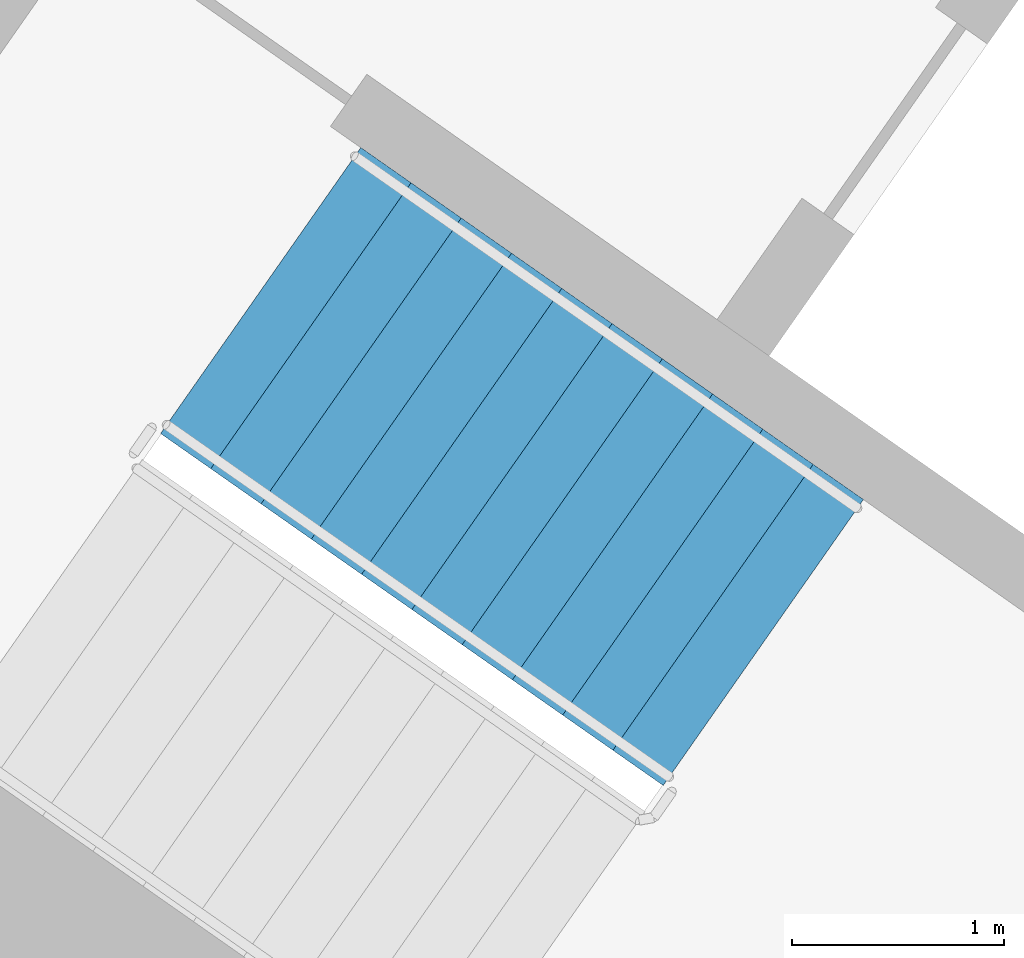
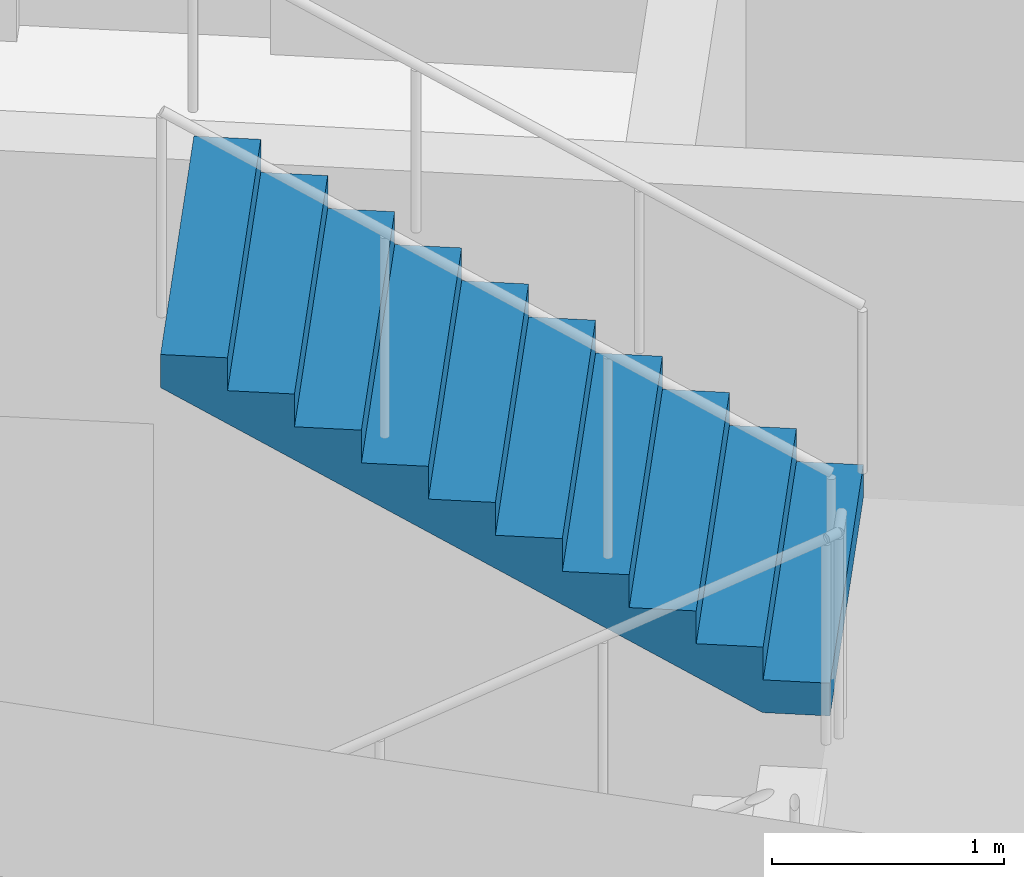
# One storey, part 11 of 29: 1 stair flight, 1 element without a shape of its own.
"""IFC4 building model written with IfcOpenShell, lengths in metres."""

from ifc_helpers import new_model, si_unit, direction, frame, origin, place, context, subcontext, project, spatial, faceted_brep, material, type_object, element, aggregate, save


model = new_model("IFC4")

# Units and contexts
model_context = context("Model", 3, precision=1e-05, world=origin(), true_north=direction((0.0, 1.0)))
body_context = subcontext(model_context, "Body", "Model", "MODEL_VIEW")
ifc_project = project(units=[si_unit("LENGTHUNIT", "METRE"), si_unit("AREAUNIT", "SQUARE_METRE"), si_unit("VOLUMEUNIT", "CUBIC_METRE"), si_unit("PLANEANGLEUNIT", "RADIAN"), si_unit("MASSUNIT", "GRAM", prefix="KILO")], contexts=[model_context])

# Site, building, storey
site_placement = place(None, origin())
site = spatial("IfcSite", under=ifc_project, at=site_placement, CompositionType="ELEMENT")
building_placement = place(site_placement, origin())
building = spatial("IfcBuilding", under=site, at=building_placement, Name="Qamariyya Broadcast Tower", CompositionType="ELEMENT")
storey_placement = place(building_placement, frame((0.0, 0.0, 136.699951171875)))
storey = spatial("IfcBuildingStorey", under=building, at=storey_placement, Name="L31", CompositionType="ELEMENT", Elevation=136.699951171875)

# Stair, stair flight
ifc_material = material(Name="Concrete C50/60", Category="concrete")
stair_type = type_object("IfcStairType", Name="Exit stair 22 risers of 173 mm", PredefinedType="HALF_TURN_STAIR", material=ifc_material)
stair_placement = place(storey_placement, origin())
stair = element("IfcStair", 1, at=stair_placement, inside=storey, type_object=stair_type, Name="L31 Stair W1", PredefinedType="HALF_TURN_STAIR")
stair_flight_type = type_object("IfcStairFlightType", Name="Exit stair flight 11 risers of 173 mm", PredefinedType="STRAIGHT", material=ifc_material)
stair_flight_placement = place(storey_placement, frame((-43.660888671875, -57.17138671875, 1.900146484375), z_axis=(0.0, 0.0, 1.0), x_axis=(-0.819152044289, 0.573576436351, 0.0)))
stair_flight = element("IfcStairFlight", 2, at=stair_flight_placement, type_object=stair_flight_type, Name="ST-W1 flight 2", NumberOfRisers=11, NumberOfTreads=10, PredefinedType="STRAIGHT", RiserHeight=0.172727273, TreadLength=0.29, context=body_context, shape_type="Brep", body=[
    faceted_brep([(0.0, 0.824951171875, 0.0), (0.0, 0.824951171875, 0.172607421875), (0.2900390625, 0.824951171875, 0.172607421875), (0.2900390625, 0.824951171875, 0.345458984375), (0.580078125, 0.824951171875, 0.345458984375), (0.580078125, 0.824951171875, 0.51806640625), (0.8701171875, 0.824951171875, 0.51806640625), (0.8701171875, 0.824951171875, 0.69091796875), (1.159912109375, 0.824951171875, 0.69091796875), (1.159912109375, 0.824951171875, 0.863525390625), (1.449951171875, 0.824951171875, 0.863525390625), (1.449951171875, 0.824951171875, 1.036376953125), (1.739990234375, 0.824951171875, 1.036376953125), (1.739990234375, 0.824951171875, 1.208984375), (2.030029296875, 0.824951171875, 1.208984375), (2.030029296875, 0.824951171875, 1.3818359375), (2.320068359375, 0.824951171875, 1.3818359375), (2.320068359375, 0.824951171875, 1.554443359375), (2.610107421875, 0.824951171875, 1.554443359375), (2.610107421875, 0.824951171875, 1.727294921875), (2.89990234375, 0.824951171875, 1.727294921875), (2.89990234375, 0.824951171875, 1.552734375), (0.29296875, 0.824951171875, 0.0), (0.29296875, -0.824951171875, 0.0), (2.89990234375, -0.824951171875, 1.552734375), (2.89990234375, -0.824951171875, 1.727294921875), (2.610107421875, -0.824951171875, 1.727294921875), (2.610107421875, -0.824951171875, 1.554443359375), (2.320068359375, -0.824951171875, 1.554443359375), (2.320068359375, -0.824951171875, 1.3818359375), (2.030029296875, -0.824951171875, 1.3818359375), (2.030029296875, -0.824951171875, 1.208984375), (1.739990234375, -0.824951171875, 1.208984375), (1.739990234375, -0.824951171875, 1.036376953125), (1.449951171875, -0.824951171875, 1.036376953125), (1.449951171875, -0.824951171875, 0.863525390625), (1.159912109375, -0.824951171875, 0.863525390625), (1.159912109375, -0.824951171875, 0.69091796875), (0.8701171875, -0.824951171875, 0.69091796875), (0.8701171875, -0.824951171875, 0.51806640625), (0.580078125, -0.824951171875, 0.51806640625), (0.580078125, -0.824951171875, 0.345458984375), (0.2900390625, -0.824951171875, 0.345458984375), (0.2900390625, -0.824951171875, 0.172607421875), (0.0, -0.824951171875, 0.172607421875), (0.0, -0.824951171875, 0.0), (0.0, 0.10009765625, 0.0), (0.0, 0.086669921875, 0.0), (0.0, 0.0732421875, 0.0), (0.0, 0.06005859375, 0.0), (0.0, 0.046630859375, 0.0), (0.0, 0.033447265625, 0.0), (0.0, 0.02001953125, 0.0), (0.0, 0.006591796875, 0.0), (0.0, -0.006591796875, 0.0), (0.0, -0.02001953125, 0.0), (0.0, -0.033447265625, 0.0), (0.0, -0.046630859375, 0.0), (0.0, -0.06005859375, 0.0), (0.0, -0.0732421875, 0.0), (0.0, -0.086669921875, 0.0), (0.0, -0.10009765625, 0.0), (0.0, -0.10009765625, 0.172607421875), (0.0, -0.086669921875, 0.172607421875), (0.0, -0.0732421875, 0.172607421875), (0.0, -0.06005859375, 0.172607421875), (0.0, -0.046630859375, 0.172607421875), (0.0, -0.033447265625, 0.172607421875), (0.0, -0.02001953125, 0.172607421875), (0.0, -0.006591796875, 0.172607421875), (0.0, 0.006591796875, 0.172607421875), (0.0, 0.02001953125, 0.172607421875), (0.0, 0.033447265625, 0.172607421875), (0.0, 0.046630859375, 0.172607421875), (0.0, 0.06005859375, 0.172607421875), (0.0, 0.0732421875, 0.172607421875), (0.0, 0.086669921875, 0.172607421875), (0.0, 0.10009765625, 0.172607421875), (0.2900390625, -0.10009765625, 0.172607421875), (0.2900390625, -0.086669921875, 0.172607421875), (0.2900390625, -0.0732421875, 0.172607421875), (0.2900390625, -0.06005859375, 0.172607421875), (0.2900390625, -0.046630859375, 0.172607421875), (0.2900390625, -0.033447265625, 0.172607421875), (0.2900390625, -0.02001953125, 0.172607421875), (0.2900390625, -0.006591796875, 0.172607421875), (0.2900390625, 0.006591796875, 0.172607421875), (0.2900390625, 0.02001953125, 0.172607421875), (0.2900390625, 0.033447265625, 0.172607421875), (0.2900390625, 0.046630859375, 0.172607421875), (0.2900390625, 0.06005859375, 0.172607421875), (0.2900390625, 0.0732421875, 0.172607421875), (0.2900390625, 0.086669921875, 0.172607421875), (0.2900390625, 0.10009765625, 0.172607421875), (0.2900390625, -0.10009765625, 0.345458984375), (0.2900390625, -0.086669921875, 0.345458984375), (0.2900390625, -0.0732421875, 0.345458984375), (0.2900390625, -0.06005859375, 0.345458984375), (0.2900390625, -0.046630859375, 0.345458984375), (0.2900390625, -0.033447265625, 0.345458984375), (0.2900390625, -0.02001953125, 0.345458984375), (0.2900390625, -0.006591796875, 0.345458984375), (0.2900390625, 0.006591796875, 0.345458984375), (0.2900390625, 0.02001953125, 0.345458984375), (0.2900390625, 0.033447265625, 0.345458984375), (0.2900390625, 0.046630859375, 0.345458984375), (0.2900390625, 0.06005859375, 0.345458984375), (0.2900390625, 0.0732421875, 0.345458984375), (0.2900390625, 0.086669921875, 0.345458984375), (0.2900390625, 0.10009765625, 0.345458984375), (0.580078125, -0.10009765625, 0.345458984375), (0.580078125, -0.086669921875, 0.345458984375), (0.580078125, -0.0732421875, 0.345458984375), (0.580078125, -0.06005859375, 0.345458984375), (0.580078125, -0.046630859375, 0.345458984375), (0.580078125, -0.033447265625, 0.345458984375), (0.580078125, -0.02001953125, 0.345458984375), (0.580078125, -0.006591796875, 0.345458984375), (0.580078125, 0.006591796875, 0.345458984375), (0.580078125, 0.02001953125, 0.345458984375), (0.580078125, 0.033447265625, 0.345458984375), (0.580078125, 0.046630859375, 0.345458984375), (0.580078125, 0.06005859375, 0.345458984375), (0.580078125, 0.0732421875, 0.345458984375), (0.580078125, 0.086669921875, 0.345458984375), (0.580078125, 0.10009765625, 0.345458984375), (0.580078125, -0.10009765625, 0.51806640625), (0.580078125, -0.086669921875, 0.51806640625), (0.580078125, -0.0732421875, 0.51806640625), (0.580078125, -0.06005859375, 0.51806640625), (0.580078125, -0.046630859375, 0.51806640625), (0.580078125, -0.033447265625, 0.51806640625), (0.580078125, -0.02001953125, 0.51806640625), (0.580078125, -0.006591796875, 0.51806640625), (0.580078125, 0.006591796875, 0.51806640625), (0.580078125, 0.02001953125, 0.51806640625), (0.580078125, 0.033447265625, 0.51806640625), (0.580078125, 0.046630859375, 0.51806640625), (0.580078125, 0.06005859375, 0.51806640625), (0.580078125, 0.0732421875, 0.51806640625), (0.580078125, 0.086669921875, 0.51806640625), (0.580078125, 0.10009765625, 0.51806640625), (0.8701171875, -0.10009765625, 0.51806640625), (0.8701171875, -0.086669921875, 0.51806640625), (0.8701171875, -0.0732421875, 0.51806640625), (0.8701171875, -0.06005859375, 0.51806640625), (0.8701171875, -0.046630859375, 0.51806640625), (0.8701171875, -0.033447265625, 0.51806640625), (0.8701171875, -0.02001953125, 0.51806640625), (0.8701171875, -0.006591796875, 0.51806640625), (0.8701171875, 0.006591796875, 0.51806640625), (0.8701171875, 0.02001953125, 0.51806640625), (0.8701171875, 0.033447265625, 0.51806640625), (0.8701171875, 0.046630859375, 0.51806640625), (0.8701171875, 0.06005859375, 0.51806640625), (0.8701171875, 0.0732421875, 0.51806640625), (0.8701171875, 0.086669921875, 0.51806640625), (0.8701171875, 0.10009765625, 0.51806640625), (0.8701171875, -0.10009765625, 0.69091796875), (0.8701171875, -0.086669921875, 0.69091796875), (0.8701171875, -0.0732421875, 0.69091796875), (0.8701171875, -0.06005859375, 0.69091796875), (0.8701171875, -0.046630859375, 0.69091796875), (0.8701171875, -0.033447265625, 0.69091796875), (0.8701171875, -0.02001953125, 0.69091796875), (0.8701171875, -0.006591796875, 0.69091796875), (0.8701171875, 0.006591796875, 0.69091796875), (0.8701171875, 0.02001953125, 0.69091796875), (0.8701171875, 0.033447265625, 0.69091796875), (0.8701171875, 0.046630859375, 0.69091796875), (0.8701171875, 0.06005859375, 0.69091796875), (0.8701171875, 0.0732421875, 0.69091796875), (0.8701171875, 0.086669921875, 0.69091796875), (0.8701171875, 0.10009765625, 0.69091796875), (1.159912109375, -0.10009765625, 0.69091796875), (1.159912109375, -0.086669921875, 0.69091796875), (1.159912109375, -0.0732421875, 0.69091796875), (1.159912109375, -0.06005859375, 0.69091796875), (1.159912109375, -0.046630859375, 0.69091796875), (1.159912109375, -0.033447265625, 0.69091796875), (1.159912109375, -0.02001953125, 0.69091796875), (1.159912109375, -0.006591796875, 0.69091796875), (1.159912109375, 0.006591796875, 0.69091796875), (1.159912109375, 0.02001953125, 0.69091796875), (1.159912109375, 0.033447265625, 0.69091796875), (1.159912109375, 0.046630859375, 0.69091796875), (1.159912109375, 0.06005859375, 0.69091796875), (1.159912109375, 0.0732421875, 0.69091796875), (1.159912109375, 0.086669921875, 0.69091796875), (1.159912109375, 0.10009765625, 0.69091796875), (1.159912109375, -0.10009765625, 0.863525390625), (1.159912109375, -0.086669921875, 0.863525390625), (1.159912109375, -0.0732421875, 0.863525390625), (1.159912109375, -0.06005859375, 0.863525390625), (1.159912109375, -0.046630859375, 0.863525390625), (1.159912109375, -0.033447265625, 0.863525390625), (1.159912109375, -0.02001953125, 0.863525390625), (1.159912109375, -0.006591796875, 0.863525390625), (1.159912109375, 0.006591796875, 0.863525390625), (1.159912109375, 0.02001953125, 0.863525390625), (1.159912109375, 0.033447265625, 0.863525390625), (1.159912109375, 0.046630859375, 0.863525390625), (1.159912109375, 0.06005859375, 0.863525390625), (1.159912109375, 0.0732421875, 0.863525390625), (1.159912109375, 0.086669921875, 0.863525390625), (1.159912109375, 0.10009765625, 0.863525390625), (1.449951171875, -0.10009765625, 0.863525390625), (1.449951171875, -0.086669921875, 0.863525390625), (1.449951171875, -0.0732421875, 0.863525390625), (1.449951171875, -0.06005859375, 0.863525390625), (1.449951171875, -0.046630859375, 0.863525390625), (1.449951171875, -0.033447265625, 0.863525390625), (1.449951171875, -0.02001953125, 0.863525390625), (1.449951171875, -0.006591796875, 0.863525390625), (1.449951171875, 0.006591796875, 0.863525390625), (1.449951171875, 0.02001953125, 0.863525390625), (1.449951171875, 0.033447265625, 0.863525390625), (1.449951171875, 0.046630859375, 0.863525390625), (1.449951171875, 0.06005859375, 0.863525390625), (1.449951171875, 0.0732421875, 0.863525390625), (1.449951171875, 0.086669921875, 0.863525390625), (1.449951171875, 0.10009765625, 0.863525390625), (1.449951171875, -0.10009765625, 1.036376953125), (1.449951171875, -0.086669921875, 1.036376953125), (1.449951171875, -0.0732421875, 1.036376953125), (1.449951171875, -0.06005859375, 1.036376953125), (1.449951171875, -0.046630859375, 1.036376953125), (1.449951171875, -0.033447265625, 1.036376953125), (1.449951171875, -0.02001953125, 1.036376953125), (1.449951171875, -0.006591796875, 1.036376953125), (1.449951171875, 0.006591796875, 1.036376953125), (1.449951171875, 0.02001953125, 1.036376953125), (1.449951171875, 0.033447265625, 1.036376953125), (1.449951171875, 0.046630859375, 1.036376953125), (1.449951171875, 0.06005859375, 1.036376953125), (1.449951171875, 0.0732421875, 1.036376953125), (1.449951171875, 0.086669921875, 1.036376953125), (1.449951171875, 0.10009765625, 1.036376953125), (1.739990234375, -0.10009765625, 1.036376953125), (1.739990234375, -0.086669921875, 1.036376953125), (1.739990234375, -0.0732421875, 1.036376953125), (1.739990234375, -0.06005859375, 1.036376953125), (1.739990234375, -0.046630859375, 1.036376953125), (1.739990234375, -0.033447265625, 1.036376953125), (1.739990234375, -0.02001953125, 1.036376953125), (1.739990234375, -0.006591796875, 1.036376953125), (1.739990234375, 0.006591796875, 1.036376953125), (1.739990234375, 0.02001953125, 1.036376953125), (1.739990234375, 0.033447265625, 1.036376953125), (1.739990234375, 0.046630859375, 1.036376953125), (1.739990234375, 0.06005859375, 1.036376953125), (1.739990234375, 0.0732421875, 1.036376953125), (1.739990234375, 0.086669921875, 1.036376953125), (1.739990234375, 0.10009765625, 1.036376953125), (1.739990234375, -0.10009765625, 1.208984375), (1.739990234375, -0.086669921875, 1.208984375), (1.739990234375, -0.0732421875, 1.208984375), (1.739990234375, -0.06005859375, 1.208984375), (1.739990234375, -0.046630859375, 1.208984375), (1.739990234375, -0.033447265625, 1.208984375), (1.739990234375, -0.02001953125, 1.208984375), (1.739990234375, -0.006591796875, 1.208984375), (1.739990234375, 0.006591796875, 1.208984375), (1.739990234375, 0.02001953125, 1.208984375), (1.739990234375, 0.033447265625, 1.208984375), (1.739990234375, 0.046630859375, 1.208984375), (1.739990234375, 0.06005859375, 1.208984375), (1.739990234375, 0.0732421875, 1.208984375), (1.739990234375, 0.086669921875, 1.208984375), (1.739990234375, 0.10009765625, 1.208984375), (2.030029296875, -0.10009765625, 1.208984375), (2.030029296875, -0.086669921875, 1.208984375), (2.030029296875, -0.0732421875, 1.208984375), (2.030029296875, -0.06005859375, 1.208984375), (2.030029296875, -0.046630859375, 1.208984375), (2.030029296875, -0.033447265625, 1.208984375), (2.030029296875, -0.02001953125, 1.208984375), (2.030029296875, -0.006591796875, 1.208984375), (2.030029296875, 0.006591796875, 1.208984375), (2.030029296875, 0.02001953125, 1.208984375), (2.030029296875, 0.033447265625, 1.208984375), (2.030029296875, 0.046630859375, 1.208984375), (2.030029296875, 0.06005859375, 1.208984375), (2.030029296875, 0.0732421875, 1.208984375), (2.030029296875, 0.086669921875, 1.208984375), (2.030029296875, 0.10009765625, 1.208984375), (2.030029296875, -0.10009765625, 1.3818359375), (2.030029296875, -0.086669921875, 1.3818359375), (2.030029296875, -0.0732421875, 1.3818359375), (2.030029296875, -0.06005859375, 1.3818359375), (2.030029296875, -0.046630859375, 1.3818359375), (2.030029296875, -0.033447265625, 1.3818359375), (2.030029296875, -0.02001953125, 1.3818359375), (2.030029296875, -0.006591796875, 1.3818359375), (2.030029296875, 0.006591796875, 1.3818359375), (2.030029296875, 0.02001953125, 1.3818359375), (2.030029296875, 0.033447265625, 1.3818359375), (2.030029296875, 0.046630859375, 1.3818359375), (2.030029296875, 0.06005859375, 1.3818359375), (2.030029296875, 0.0732421875, 1.3818359375), (2.030029296875, 0.086669921875, 1.3818359375), (2.030029296875, 0.10009765625, 1.3818359375), (2.320068359375, -0.10009765625, 1.3818359375), (2.320068359375, -0.086669921875, 1.3818359375), (2.320068359375, -0.0732421875, 1.3818359375), (2.320068359375, -0.06005859375, 1.3818359375), (2.320068359375, -0.046630859375, 1.3818359375), (2.320068359375, -0.033447265625, 1.3818359375), (2.320068359375, -0.02001953125, 1.3818359375), (2.320068359375, -0.006591796875, 1.3818359375), (2.320068359375, 0.006591796875, 1.3818359375), (2.320068359375, 0.02001953125, 1.3818359375), (2.320068359375, 0.033447265625, 1.3818359375), (2.320068359375, 0.046630859375, 1.3818359375), (2.320068359375, 0.06005859375, 1.3818359375), (2.320068359375, 0.0732421875, 1.3818359375), (2.320068359375, 0.086669921875, 1.3818359375), (2.320068359375, 0.10009765625, 1.3818359375), (2.320068359375, -0.10009765625, 1.554443359375), (2.320068359375, -0.086669921875, 1.554443359375), (2.320068359375, -0.0732421875, 1.554443359375), (2.320068359375, -0.06005859375, 1.554443359375), (2.320068359375, -0.046630859375, 1.554443359375), (2.320068359375, -0.033447265625, 1.554443359375), (2.320068359375, -0.02001953125, 1.554443359375), (2.320068359375, -0.006591796875, 1.554443359375), (2.320068359375, 0.006591796875, 1.554443359375), (2.320068359375, 0.02001953125, 1.554443359375), (2.320068359375, 0.033447265625, 1.554443359375), (2.320068359375, 0.046630859375, 1.554443359375), (2.320068359375, 0.06005859375, 1.554443359375), (2.320068359375, 0.0732421875, 1.554443359375), (2.320068359375, 0.086669921875, 1.554443359375), (2.320068359375, 0.10009765625, 1.554443359375), (2.610107421875, -0.10009765625, 1.554443359375), (2.610107421875, -0.086669921875, 1.554443359375), (2.610107421875, -0.0732421875, 1.554443359375), (2.610107421875, -0.06005859375, 1.554443359375), (2.610107421875, -0.046630859375, 1.554443359375), (2.610107421875, -0.033447265625, 1.554443359375), (2.610107421875, -0.02001953125, 1.554443359375), (2.610107421875, -0.006591796875, 1.554443359375), (2.610107421875, 0.006591796875, 1.554443359375), (2.610107421875, 0.02001953125, 1.554443359375), (2.610107421875, 0.033447265625, 1.554443359375), (2.610107421875, 0.046630859375, 1.554443359375), (2.610107421875, 0.06005859375, 1.554443359375), (2.610107421875, 0.0732421875, 1.554443359375), (2.610107421875, 0.086669921875, 1.554443359375), (2.610107421875, 0.10009765625, 1.554443359375), (2.610107421875, -0.10009765625, 1.727294921875), (2.610107421875, -0.086669921875, 1.727294921875), (2.610107421875, -0.0732421875, 1.727294921875), (2.610107421875, -0.06005859375, 1.727294921875), (2.610107421875, -0.046630859375, 1.727294921875), (2.610107421875, -0.033447265625, 1.727294921875), (2.610107421875, -0.02001953125, 1.727294921875), (2.610107421875, -0.006591796875, 1.727294921875), (2.610107421875, 0.006591796875, 1.727294921875), (2.610107421875, 0.02001953125, 1.727294921875), (2.610107421875, 0.033447265625, 1.727294921875), (2.610107421875, 0.046630859375, 1.727294921875), (2.610107421875, 0.06005859375, 1.727294921875), (2.610107421875, 0.0732421875, 1.727294921875), (2.610107421875, 0.086669921875, 1.727294921875), (2.610107421875, 0.10009765625, 1.727294921875), (2.89990234375, -0.10009765625, 1.727294921875), (2.89990234375, -0.086669921875, 1.727294921875), (2.89990234375, -0.0732421875, 1.727294921875), (2.89990234375, -0.06005859375, 1.727294921875), (2.89990234375, -0.046630859375, 1.727294921875), (2.89990234375, -0.033447265625, 1.727294921875), (2.89990234375, -0.02001953125, 1.727294921875), (2.89990234375, -0.006591796875, 1.727294921875), (2.89990234375, 0.006591796875, 1.727294921875), (2.89990234375, 0.02001953125, 1.727294921875), (2.89990234375, 0.033447265625, 1.727294921875), (2.89990234375, 0.046630859375, 1.727294921875), (2.89990234375, 0.06005859375, 1.727294921875), (2.89990234375, 0.0732421875, 1.727294921875), (2.89990234375, 0.086669921875, 1.727294921875), (2.89990234375, 0.10009765625, 1.727294921875), (2.89990234375, -0.10009765625, 1.552734375), (2.89990234375, -0.086669921875, 1.552734375), (2.89990234375, -0.0732421875, 1.552734375), (2.89990234375, -0.06005859375, 1.552734375), (2.89990234375, -0.046630859375, 1.552734375), (2.89990234375, -0.033447265625, 1.552734375), (2.89990234375, -0.02001953125, 1.552734375), (2.89990234375, -0.006591796875, 1.552734375), (2.89990234375, 0.006591796875, 1.552734375), (2.89990234375, 0.02001953125, 1.552734375), (2.89990234375, 0.033447265625, 1.552734375), (2.89990234375, 0.046630859375, 1.552734375), (2.89990234375, 0.06005859375, 1.552734375), (2.89990234375, 0.0732421875, 1.552734375), (2.89990234375, 0.086669921875, 1.552734375), (2.89990234375, 0.10009765625, 1.552734375), (0.29296875, -0.10009765625, 0.0), (0.29296875, -0.086669921875, 0.0), (0.29296875, -0.0732421875, 0.0), (0.29296875, -0.06005859375, 0.0), (0.29296875, -0.046630859375, 0.0), (0.29296875, -0.033447265625, 0.0), (0.29296875, -0.02001953125, 0.0), (0.29296875, -0.006591796875, 0.0), (0.29296875, 0.006591796875, 0.0), (0.29296875, 0.02001953125, 0.0), (0.29296875, 0.033447265625, 0.0), (0.29296875, 0.046630859375, 0.0), (0.29296875, 0.06005859375, 0.0), (0.29296875, 0.0732421875, 0.0), (0.29296875, 0.086669921875, 0.0), (0.29296875, 0.10009765625, 0.0)], [[[0, 1, 2, 3, 4, 5, 6, 7, 8, 9, 10, 11, 12, 13, 14, 15, 16, 17, 18, 19, 20, 21, 22]], [[23, 24, 25, 26, 27, 28, 29, 30, 31, 32, 33, 34, 35, 36, 37, 38, 39, 40, 41, 42, 43, 44, 45]], [[0, 46, 47, 48, 49, 50, 51, 52, 53, 54, 55, 56, 57, 58, 59, 60, 61, 45, 44, 62, 63, 64, 65, 66, 67, 68, 69, 70, 71, 72, 73, 74, 75, 76, 77, 1]], [[1, 77, 76, 75, 74, 73, 72, 71, 70, 69, 68, 67, 66, 65, 64, 63, 62, 44, 43, 78, 79, 80, 81, 82, 83, 84, 85, 86, 87, 88, 89, 90, 91, 92, 93, 2]], [[2, 93, 92, 91, 90, 89, 88, 87, 86, 85, 84, 83, 82, 81, 80, 79, 78, 43, 42, 94, 95, 96, 97, 98, 99, 100, 101, 102, 103, 104, 105, 106, 107, 108, 109, 3]], [[3, 109, 108, 107, 106, 105, 104, 103, 102, 101, 100, 99, 98, 97, 96, 95, 94, 42, 41, 110, 111, 112, 113, 114, 115, 116, 117, 118, 119, 120, 121, 122, 123, 124, 125, 4]], [[4, 125, 124, 123, 122, 121, 120, 119, 118, 117, 116, 115, 114, 113, 112, 111, 110, 41, 40, 126, 127, 128, 129, 130, 131, 132, 133, 134, 135, 136, 137, 138, 139, 140, 141, 5]], [[5, 141, 140, 139, 138, 137, 136, 135, 134, 133, 132, 131, 130, 129, 128, 127, 126, 40, 39, 142, 143, 144, 145, 146, 147, 148, 149, 150, 151, 152, 153, 154, 155, 156, 157, 6]], [[6, 157, 156, 155, 154, 153, 152, 151, 150, 149, 148, 147, 146, 145, 144, 143, 142, 39, 38, 158, 159, 160, 161, 162, 163, 164, 165, 166, 167, 168, 169, 170, 171, 172, 173, 7]], [[7, 173, 172, 171, 170, 169, 168, 167, 166, 165, 164, 163, 162, 161, 160, 159, 158, 38, 37, 174, 175, 176, 177, 178, 179, 180, 181, 182, 183, 184, 185, 186, 187, 188, 189, 8]], [[8, 189, 188, 187, 186, 185, 184, 183, 182, 181, 180, 179, 178, 177, 176, 175, 174, 37, 36, 190, 191, 192, 193, 194, 195, 196, 197, 198, 199, 200, 201, 202, 203, 204, 205, 9]], [[9, 205, 204, 203, 202, 201, 200, 199, 198, 197, 196, 195, 194, 193, 192, 191, 190, 36, 35, 206, 207, 208, 209, 210, 211, 212, 213, 214, 215, 216, 217, 218, 219, 220, 221, 10]], [[10, 221, 220, 219, 218, 217, 216, 215, 214, 213, 212, 211, 210, 209, 208, 207, 206, 35, 34, 222, 223, 224, 225, 226, 227, 228, 229, 230, 231, 232, 233, 234, 235, 236, 237, 11]], [[11, 237, 236, 235, 234, 233, 232, 231, 230, 229, 228, 227, 226, 225, 224, 223, 222, 34, 33, 238, 239, 240, 241, 242, 243, 244, 245, 246, 247, 248, 249, 250, 251, 252, 253, 12]], [[12, 253, 252, 251, 250, 249, 248, 247, 246, 245, 244, 243, 242, 241, 240, 239, 238, 33, 32, 254, 255, 256, 257, 258, 259, 260, 261, 262, 263, 264, 265, 266, 267, 268, 269, 13]], [[13, 269, 268, 267, 266, 265, 264, 263, 262, 261, 260, 259, 258, 257, 256, 255, 254, 32, 31, 270, 271, 272, 273, 274, 275, 276, 277, 278, 279, 280, 281, 282, 283, 284, 285, 14]], [[14, 285, 284, 283, 282, 281, 280, 279, 278, 277, 276, 275, 274, 273, 272, 271, 270, 31, 30, 286, 287, 288, 289, 290, 291, 292, 293, 294, 295, 296, 297, 298, 299, 300, 301, 15]], [[15, 301, 300, 299, 298, 297, 296, 295, 294, 293, 292, 291, 290, 289, 288, 287, 286, 30, 29, 302, 303, 304, 305, 306, 307, 308, 309, 310, 311, 312, 313, 314, 315, 316, 317, 16]], [[16, 317, 316, 315, 314, 313, 312, 311, 310, 309, 308, 307, 306, 305, 304, 303, 302, 29, 28, 318, 319, 320, 321, 322, 323, 324, 325, 326, 327, 328, 329, 330, 331, 332, 333, 17]], [[17, 333, 332, 331, 330, 329, 328, 327, 326, 325, 324, 323, 322, 321, 320, 319, 318, 28, 27, 334, 335, 336, 337, 338, 339, 340, 341, 342, 343, 344, 345, 346, 347, 348, 349, 18]], [[18, 349, 348, 347, 346, 345, 344, 343, 342, 341, 340, 339, 338, 337, 336, 335, 334, 27, 26, 350, 351, 352, 353, 354, 355, 356, 357, 358, 359, 360, 361, 362, 363, 364, 365, 19]], [[19, 365, 364, 363, 362, 361, 360, 359, 358, 357, 356, 355, 354, 353, 352, 351, 350, 26, 25, 366, 367, 368, 369, 370, 371, 372, 373, 374, 375, 376, 377, 378, 379, 380, 381, 20]], [[20, 381, 380, 379, 378, 377, 376, 375, 374, 373, 372, 371, 370, 369, 368, 367, 366, 25, 24, 382, 383, 384, 385, 386, 387, 388, 389, 390, 391, 392, 393, 394, 395, 396, 397, 21]], [[21, 397, 396, 395, 394, 393, 392, 391, 390, 389, 388, 387, 386, 385, 384, 383, 382, 24, 23, 398, 399, 400, 401, 402, 403, 404, 405, 406, 407, 408, 409, 410, 411, 412, 413, 22]], [[22, 413, 412, 411, 410, 409, 408, 407, 406, 405, 404, 403, 402, 401, 400, 399, 398, 23, 45, 61, 60, 59, 58, 57, 56, 55, 54, 53, 52, 51, 50, 49, 48, 47, 46, 0]]]),
])
aggregate(stair, [stair_flight])

save(model, "model.ifc")
